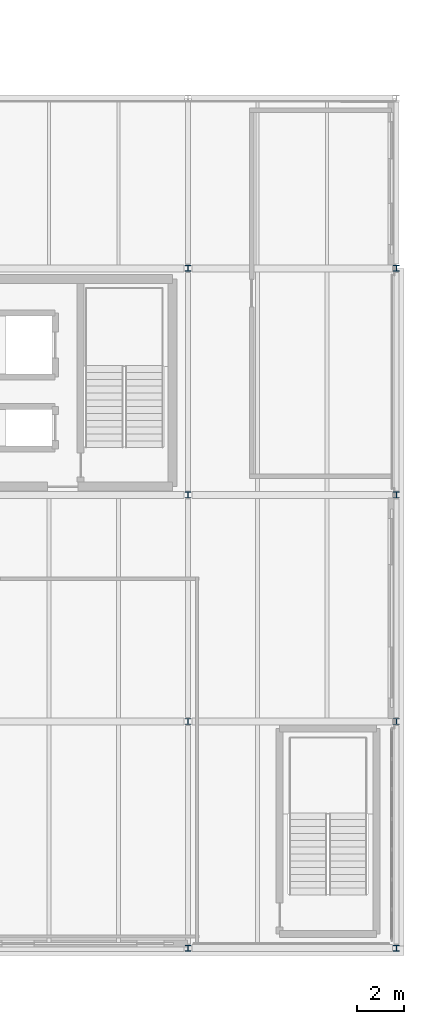
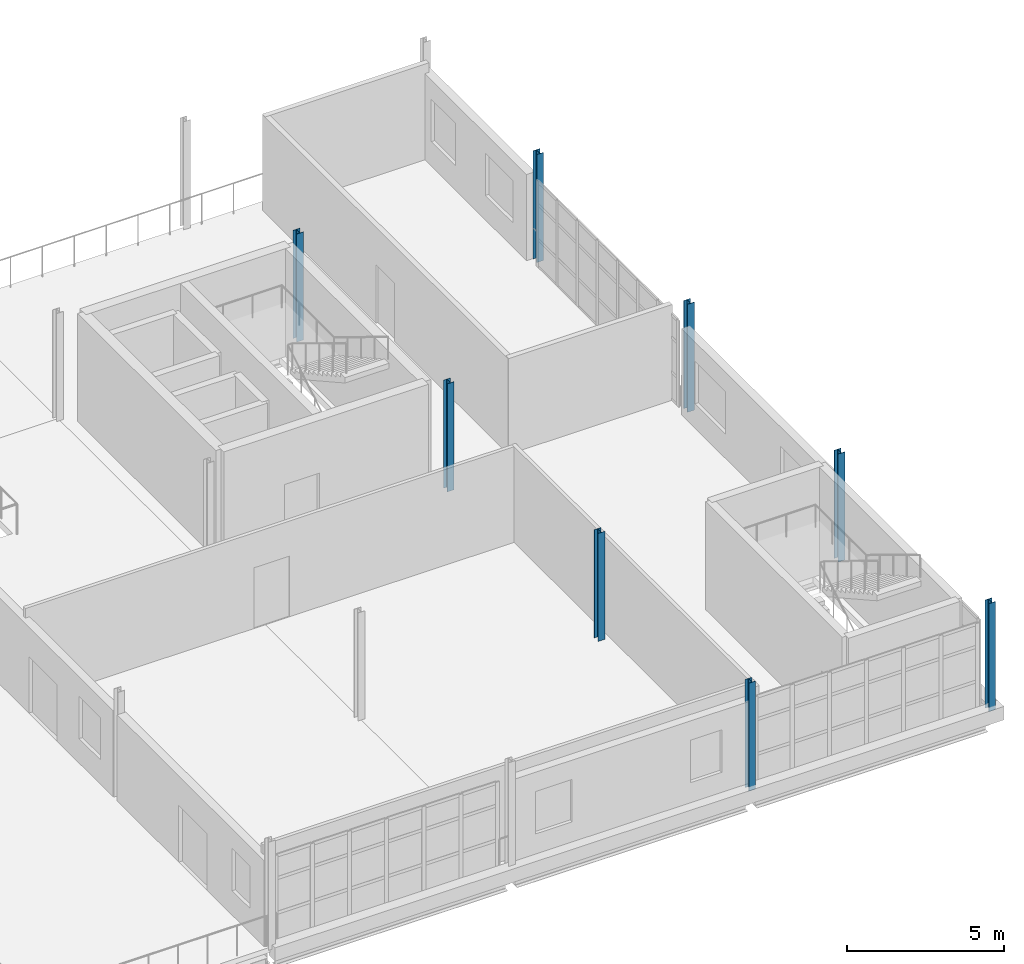
# One storey, part 11 of 58: 8 columns.
"""IFC4 building model written with IfcOpenShell, lengths in metres."""

from ifc_helpers import new_model, si_unit, direction, frame, origin, origin_2d, place, context, subcontext, project, spatial, i_section, extrude, material, material_profile, profile_set, type_object, element, save


model = new_model("IFC4")

# Units and contexts
model_context = context("Model", 3, precision=1e-05, world=origin(), true_north=direction((0.0, 1.0)))
body_context = subcontext(model_context, "Body", "Model", "MODEL_VIEW")
ifc_project = project(units=[si_unit("LENGTHUNIT", "METRE"), si_unit("AREAUNIT", "SQUARE_METRE"), si_unit("VOLUMEUNIT", "CUBIC_METRE"), si_unit("PLANEANGLEUNIT", "RADIAN"), si_unit("MASSUNIT", "GRAM", prefix="KILO")], contexts=[model_context])

# Site, building, storey
site_placement = place(None, origin())
site = spatial("IfcSite", under=ifc_project, at=site_placement, CompositionType="ELEMENT")
building_placement = place(site_placement, origin())
building = spatial("IfcBuilding", under=site, at=building_placement, Name="Yeouljin Market Hall", CompositionType="ELEMENT")
storey_placement = place(building_placement, frame((0.0, 0.0, 10.800048828125)))
storey = spatial("IfcBuildingStorey", under=building, at=storey_placement, Name="L02", CompositionType="ELEMENT", Elevation=10.800048828125)

# Columns
ifc_material = material(Name="Steel SM355", Category="steel")
ifc_material_profile = material_profile(ifc_material, i_section(OverallWidth=0.25, OverallDepth=0.25, WebThickness=0.009033203125, FlangeThickness=0.013916015625, FilletRadius=0.01611328125, at=origin_2d()), Name="H-250x250x9x14")
ifc_profile_set = profile_set([ifc_material_profile], Name="Steel SM355")
column_type = type_object("IfcColumnType", Name="Col_H-250x250x9x14", PredefinedType="COLUMN", material=ifc_profile_set)
for number, where, z_axis, x_axis, name in (
    (1, (167.570068359375, 0.0, 0.0), (0.0, 0.0, 1.0), (1.0, 0.0, 0.0), "Column G-20-00 (L02)"),
    (2, (167.570068359375, 9.60009765625, 0.0), (0.0, 0.0, 1.0), (1.0, 0.0, 0.0), "Column G-20-01 (L02)"),
    (3, (167.570068359375, 19.199951171875, 0.0), (0.0, 0.0, 1.0), (1.0, 0.0, 0.0), "Column G-20-02 (L02)"),
    (4, (167.570068359375, 28.800048828125, 0.0), (0.0, 0.0, 1.0), (1.0, 0.0, 0.0), "Column G-20-03 (L02)"),
    (5, (176.39990234375, 0.0, 0.0), (0.0, 0.0, 1.0), (1.0, 0.0, 0.0), "Column G-21-00 (L02)"),
    (6, (176.39990234375, 9.60009765625, 0.0), (0.0, 0.0, 1.0), (1.0, 0.0, 0.0), "Column G-21-01 (L02)"),
    (7, (176.39990234375, 19.199951171875, 0.0), (0.0, 0.0, 1.0), (1.0, 0.0, 0.0), "Column G-21-02 (L02)"),
    (8, (176.39990234375, 28.800048828125, 0.0), (0.0, 0.0, 1.0), (1.0, 0.0, 0.0), "Column G-21-03 (L02)"),
):
    element("IfcColumn", number, at=place(storey_placement, frame(where, z_axis=z_axis, x_axis=x_axis)), inside=storey, type_object=column_type, Name=name, PredefinedType="COLUMN", context=body_context, shape_type="SweptSolid", body=[
        extrude(i_section(OverallWidth=0.25, OverallDepth=0.25, WebThickness=0.009033203125, FlangeThickness=0.013916015625, FilletRadius=0.01611328125, at=origin_2d()), origin(), (0.0, 0.0, 1.0), 4.199951171875),
    ])

save(model, "model.ifc")
